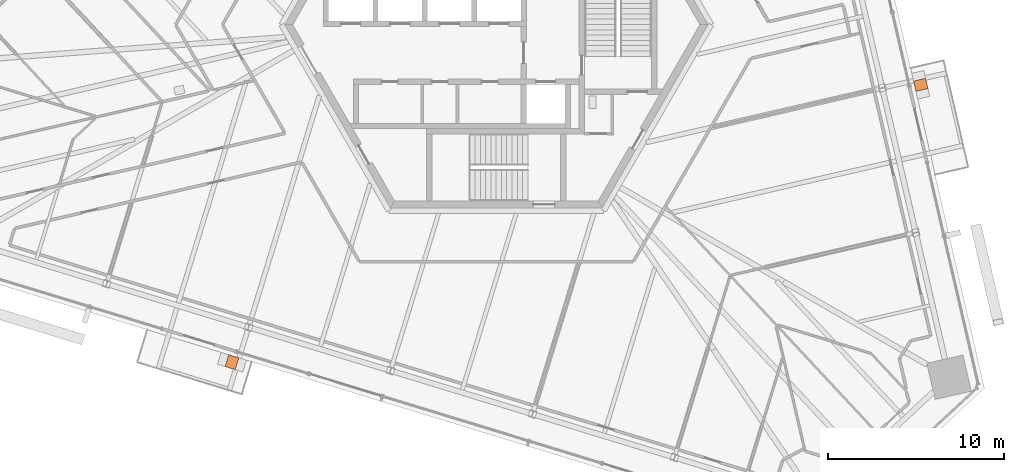
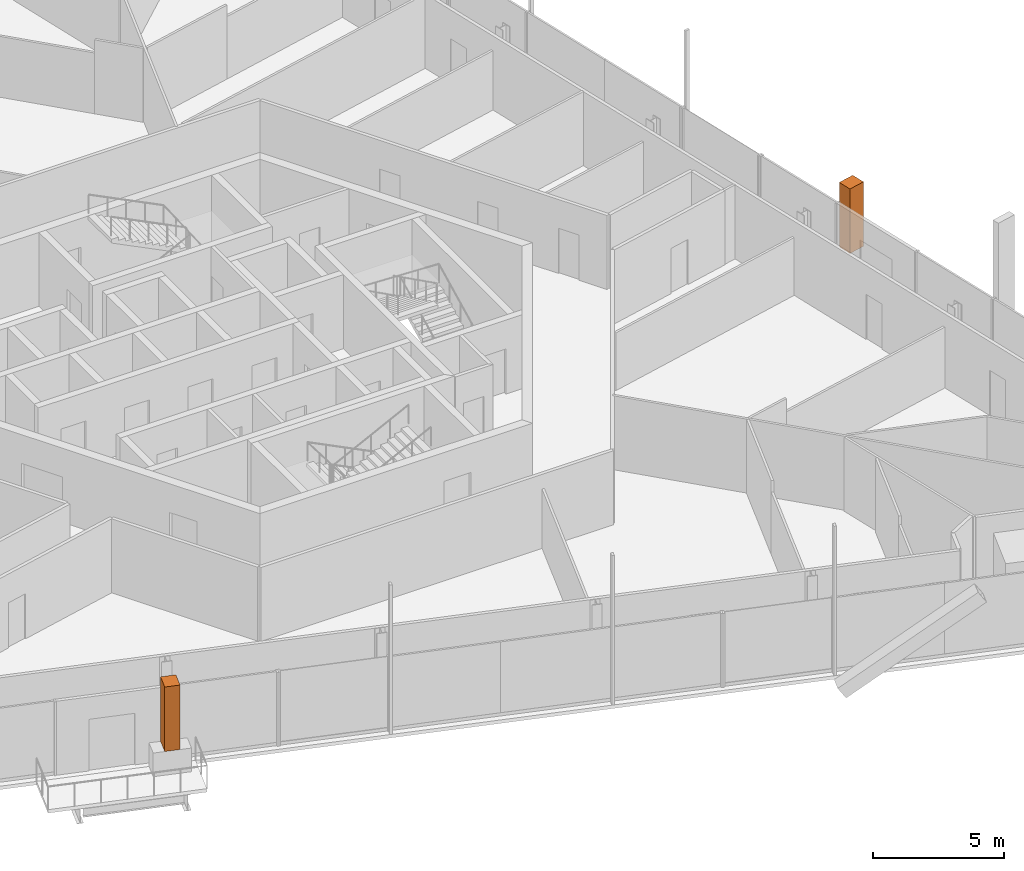
# One storey, part 24 of 24: 2 geographic elements.
"""IFC4 building model written with IfcOpenShell, lengths in metres."""

import ifcopenshell
import ifcopenshell.guid

model = None  # the IFC model being written
_history = None  # IfcOwnerHistory: only IFC2X3 demands one
_inside = {}  # id of a spatial element -> (the spatial element, [elements in it])
_under = {}  # id of a project, library or spatial element -> (it, [spatial elements below it])
_declared = {}  # id of a project -> (the project, [libraries it declares])
_typed = {}  # id of a type object -> (the type object, [elements of that type])
_made_of = {}  # id of a material, layer set ... -> (it, [elements and type objects made of it])


def new_model(schema):
    """Start an empty IFC model of exactly this schema.

    Asked for "IFC4X3", IfcOpenShell would pick the latest addendum, in which some entities
    have other attributes; the version numbers below select the first issue.
    IFC2X3 requires an IfcOwnerHistory on every rooted entity: one is made here for all.
    """
    global model, _history
    if schema == "IFC4X3":
        model = ifcopenshell.file(schema_version=(4, 3, 0, 0))
    else:
        model = ifcopenshell.file(schema=schema)
    _inside.clear()
    _under.clear()
    _declared.clear()
    _typed.clear()
    _made_of.clear()
    _history = None
    if model.schema == "IFC2X3":
        org = make("IfcOrganization", Name="unknown")
        user = make(
            "IfcPersonAndOrganization",
            ThePerson=make("IfcPerson", FamilyName="unknown"),
            TheOrganization=org,
        )
        app = make(
            "IfcApplication",
            ApplicationDeveloper=org,
            Version="unknown",
            ApplicationFullName="unknown",
            ApplicationIdentifier="unknown",
        )
        _history = make(
            "IfcOwnerHistory",
            OwningUser=user,
            OwningApplication=app,
            ChangeAction="ADDED",
            CreationDate=0,
        )
    return model


def make(cls, **values):
    """One entity of the class cls with the attributes given. An attribute that is None is left unset."""
    return model.create_entity(
        cls, **{name: value for name, value in values.items() if value is not None}
    )


def rooted(cls, **values):
    """An entity with a GlobalId (a new one), such as an element, a storey or a relation."""
    return make(cls, GlobalId=ifcopenshell.guid.new(), OwnerHistory=_history, **values)


def si_unit(unit_type, name, prefix=None):
    """IfcSIUnit, for example si_unit("LENGTHUNIT", "METRE", prefix="MILLI")."""
    return make("IfcSIUnit", UnitType=unit_type, Prefix=prefix, Name=name)


def assignment(units):
    """IfcUnitAssignment: the units of a project."""
    return None if units is None else make("IfcUnitAssignment", Units=units)


def point(xyz):
    """IfcCartesianPoint."""
    return None if xyz is None else make("IfcCartesianPoint", Coordinates=xyz)


def direction(xyz):
    """IfcDirection."""
    return None if xyz is None else make("IfcDirection", DirectionRatios=xyz)


def frame(location, z_axis=None, x_axis=None):
    """IfcAxis2Placement3D, a coordinate frame: its origin and axes. An axis left out is left unset."""
    return make(
        "IfcAxis2Placement3D",
        Location=point(location),
        Axis=direction(z_axis),
        RefDirection=direction(x_axis),
    )


def frame_2d(location, x_axis=None):
    """IfcAxis2Placement2D, a coordinate frame in the plane: its origin and x axis."""
    return make(
        "IfcAxis2Placement2D", Location=point(location), RefDirection=direction(x_axis)
    )


def origin():
    """The frame at (0, 0, 0) with its axes left unset."""
    return frame((0.0, 0.0, 0.0))


def origin_2d():
    """The frame at (0, 0) in the plane with its x axis left unset."""
    return frame_2d((0.0, 0.0))


def place(relative_to, where):
    """IfcLocalPlacement: puts the frame where relative to a parent placement (None: the world)."""
    return make(
        "IfcLocalPlacement", PlacementRelTo=relative_to, RelativePlacement=where
    )


def context(
    kind, dimensions, precision=None, world=None, true_north=None, identifier=None
):
    """IfcGeometricRepresentationContext, for example the 3D "Model" context."""
    return make(
        "IfcGeometricRepresentationContext",
        ContextIdentifier=identifier,
        ContextType=kind,
        CoordinateSpaceDimension=dimensions,
        Precision=precision,
        WorldCoordinateSystem=world,
        TrueNorth=true_north,
    )


def subcontext(parent, identifier, kind, view, scale=None):
    """IfcGeometricRepresentationSubContext, for example "Body" below "Model"."""
    return make(
        "IfcGeometricRepresentationSubContext",
        ContextIdentifier=identifier,
        ContextType=kind,
        ParentContext=parent,
        TargetScale=scale,
        TargetView=view,
    )


def project(units=None, contexts=None):
    """IfcProject with its units and contexts."""
    return rooted(
        "IfcProject",
        Name="project",
        RepresentationContexts=contexts,
        UnitsInContext=assignment(units),
    )


def spatial(cls, under=None, at=None, **own):
    """A site, building, storey or space (cls), placed at a placement, below another one or the project."""
    s = rooted(cls, ObjectPlacement=at, **own)
    if under is not None:
        _under.setdefault(under.id(), (under, []))[1].append(s)
    return s


def profile(cls, at=None, kind="AREA", **sizes):
    """A parametric profile (cls). Its sizes go by their IFC names, for example OverallWidth=200.0."""
    return make(cls, ProfileType=kind, Position=at, **sizes)


def rectangle(**sizes):
    """IfcRectangleProfileDef."""
    return profile("IfcRectangleProfileDef", **sizes)


def extrude(swept, where, along, depth):
    """IfcExtrudedAreaSolid: the profile swept, set in the frame where, extruded along a direction by depth."""
    return make(
        "IfcExtrudedAreaSolid",
        SweptArea=swept,
        Position=where,
        ExtrudedDirection=direction(along),
        Depth=depth,
    )


def shape(context_of_items, identifier, shape_type, items):
    """IfcShapeRepresentation: the items that make up one representation, for example the "Body"."""
    return make(
        "IfcShapeRepresentation",
        ContextOfItems=context_of_items,
        RepresentationIdentifier=identifier,
        RepresentationType=shape_type,
        Items=items,
    )


def source(mapping_origin, context_of_items, identifier, shape_type, items):
    """IfcRepresentationMap: a shape defined once, which mapped items show again and again."""
    return make(
        "IfcRepresentationMap",
        MappingOrigin=mapping_origin,
        MappedRepresentation=shape(context_of_items, identifier, shape_type, items),
    )


def transform(
    local_origin,
    x_axis=None,
    y_axis=None,
    z_axis=None,
    scale=None,
    scale2=None,
    scale3=None,
    uniform=True,
):
    """IfcCartesianTransformationOperator3D, or its non-uniform kind. x_axis, y_axis, z_axis: its Axis1, 2, 3."""
    if uniform:
        return make(
            "IfcCartesianTransformationOperator3D",
            Axis1=direction(x_axis),
            Axis2=direction(y_axis),
            LocalOrigin=point(local_origin),
            Scale=scale,
            Axis3=direction(z_axis),
        )
    return make(
        "IfcCartesianTransformationOperator3DnonUniform",
        Axis1=direction(x_axis),
        Axis2=direction(y_axis),
        LocalOrigin=point(local_origin),
        Scale=scale,
        Axis3=direction(z_axis),
        Scale2=scale2,
        Scale3=scale3,
    )


def mapped(mapping_source, mapping_target):
    """IfcMappedItem: shows the shape of a source again, moved by a transform."""
    return make(
        "IfcMappedItem", MappingSource=mapping_source, MappingTarget=mapping_target
    )


def material(Name=None, Category=None):
    """IfcMaterial."""
    return make("IfcMaterial", Name=Name, Category=Category)


def made_of(thing, what):
    """Note that an element or type object is made of a material, layer set ...; save() writes the relation."""
    if what is not None:
        _made_of.setdefault(what.id(), (what, []))[1].append(thing)
    return thing


def type_object(cls, material=None, **own):
    """A type object (cls), such as IfcWallType, which elements share."""
    return made_of(rooted(cls, **own), material)


def element(
    cls,
    number,
    at=None,
    inside=None,
    cuts=None,
    type_object=None,
    material=None,
    context=None,
    identifier="Body",
    shape_type=None,
    held_by="IfcProductDefinitionShape",
    body=None,
    shapes=None,
    **own,
):
    """One element of the class cls, such as IfcWall. Its Tag is "e" and its number.

    at: its placement. inside: the storey or other place that contains it. cuts: it is an
    opening in that element (IfcRelVoidsElement). A single representation is given by context,
    identifier, shape_type and body (its items); several are given by shapes. held_by: the class
    of the entity that holds the representations. save() writes the other relations.
    """
    e = rooted(cls, Tag="e%d" % number, ObjectPlacement=at, **own)
    if body is not None:
        shapes = [shape(context, identifier, shape_type, body)]
    if shapes is not None:
        e.Representation = make(held_by, Representations=shapes)
    if inside is not None:
        _inside.setdefault(inside.id(), (inside, []))[1].append(e)
    if cuts is not None:
        rooted(
            "IfcRelVoidsElement", RelatingBuildingElement=cuts, RelatedOpeningElement=e
        )
    if type_object is not None:
        _typed.setdefault(type_object.id(), (type_object, []))[1].append(e)
    return made_of(e, material)


def aggregate(whole, parts):
    """IfcRelAggregates: a whole, such as a stair, and the parts it consists of."""
    return rooted("IfcRelAggregates", RelatingObject=whole, RelatedObjects=parts)


def save(model, path):
    """Write the relations noted so far, then the file.

    IfcRelAggregates (storeys below a building ...), IfcRelContainedInSpatialStructure (elements
    in a storey), IfcRelDefinesByType, IfcRelAssociatesMaterial and IfcRelDeclares: one each for
    every whole, place, type object, material and project.
    """
    for whole, parts in _under.values():
        aggregate(whole, parts)
    for where, things in _inside.values():
        rooted(
            "IfcRelContainedInSpatialStructure",
            RelatedElements=things,
            RelatingStructure=where,
        )
    for kind, things in _typed.values():
        rooted("IfcRelDefinesByType", RelatedObjects=things, RelatingType=kind)
    for what, things in _made_of.values():
        rooted("IfcRelAssociatesMaterial", RelatedObjects=things, RelatingMaterial=what)
    for by, libraries in _declared.values():
        rooted("IfcRelDeclares", RelatingContext=by, RelatedDefinitions=libraries)
    model.write(path)


model = new_model("IFC4")

# Units and contexts
model_context = context("Model", 3, precision=1e-05, world=origin(), true_north=direction((0.0, 1.0)))
body_context = subcontext(model_context, "Body", "Model", "MODEL_VIEW")
ifc_project = project(units=[si_unit("LENGTHUNIT", "METRE"), si_unit("AREAUNIT", "SQUARE_METRE"), si_unit("VOLUMEUNIT", "CUBIC_METRE"), si_unit("PLANEANGLEUNIT", "RADIAN"), si_unit("MASSUNIT", "GRAM", prefix="KILO")], contexts=[model_context])

# Site, building, storey
site_placement = place(None, origin())
site = spatial("IfcSite", under=ifc_project, at=site_placement, CompositionType="ELEMENT")
building_placement = place(site_placement, origin())
building = spatial("IfcBuilding", under=site, at=building_placement, Name="Triune Harvest Tower", CompositionType="ELEMENT")
storey_placement = place(building_placement, frame((0.0, 0.0, 127.10009765625)))
storey = spatial("IfcBuildingStorey", under=building, at=storey_placement, Name="L32", CompositionType="ELEMENT", Elevation=127.10009765625)

# Geographic elements
ifc_material = material(Name="TREE-1 tree")
geographic_element_type = type_object("IfcGeographicElementType", Name="TREE-1 tree", PredefinedType="USERDEFINED", material=ifc_material)
shared_shape = source(origin(), body_context, "Body", "SweptSolid", [
    extrude(rectangle(XDim=0.60009765625, YDim=0.699951171875, at=origin_2d()), origin(), (0.0, 0.0, 1.0), 3.0),
])
for number, where, z_axis, x_axis, name in (
    (1, (24.0576171875, -3.408935546875, 1.099853515625), (0.0, 0.0, 1.0), (-0.22495121687, 0.974370027263, 0.0), "Tree B3-F1 L32.4b"),
    (2, (-14.981201171875, -19.1298828125, 1.099853515625), (0.0, 0.0, 1.0), (0.956304229664, -0.292373426164, 0.0), "Tree B3-F5 L32.4b"),
):
    element("IfcGeographicElement", number, at=place(storey_placement, frame(where, z_axis=z_axis, x_axis=x_axis)), inside=storey, type_object=geographic_element_type, Name=name, ObjectType="TREE", PredefinedType="USERDEFINED", context=body_context, shape_type="MappedRepresentation", body=[
        mapped(shared_shape, transform((0.0, 0.0, 0.0), scale=1.0)),
    ])

save(model, "model.ifc")
